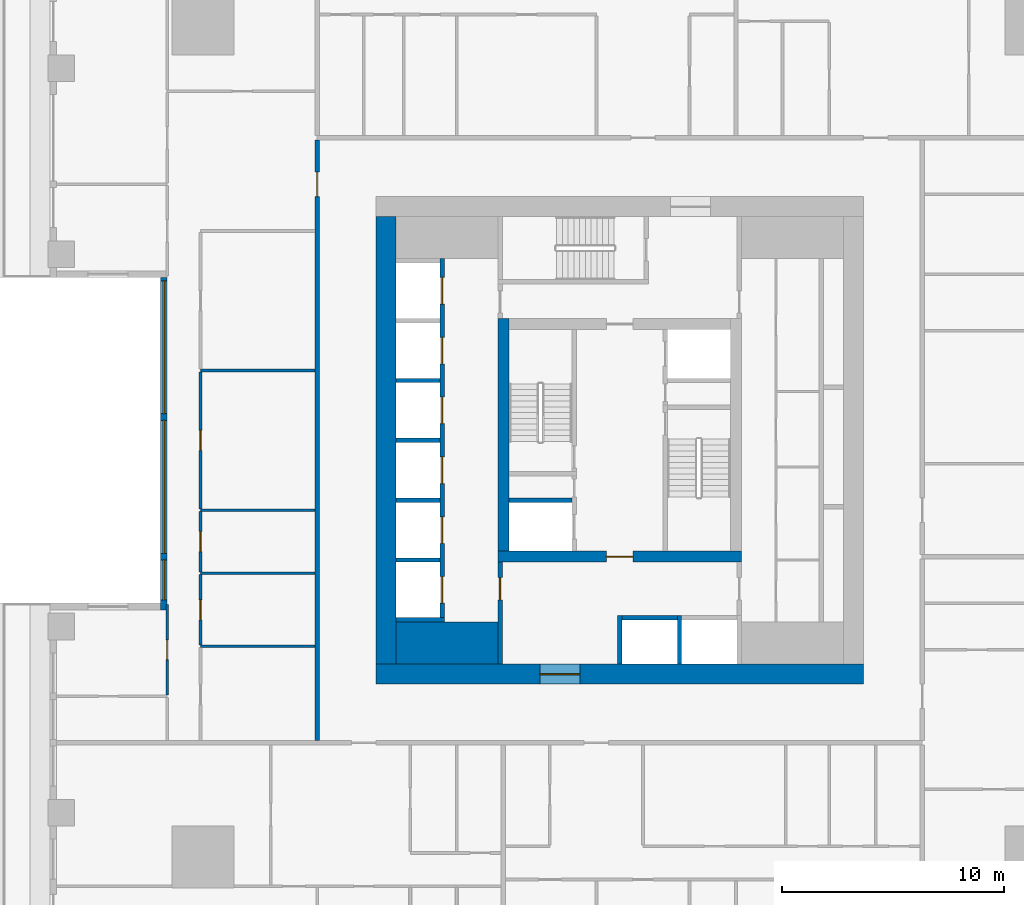
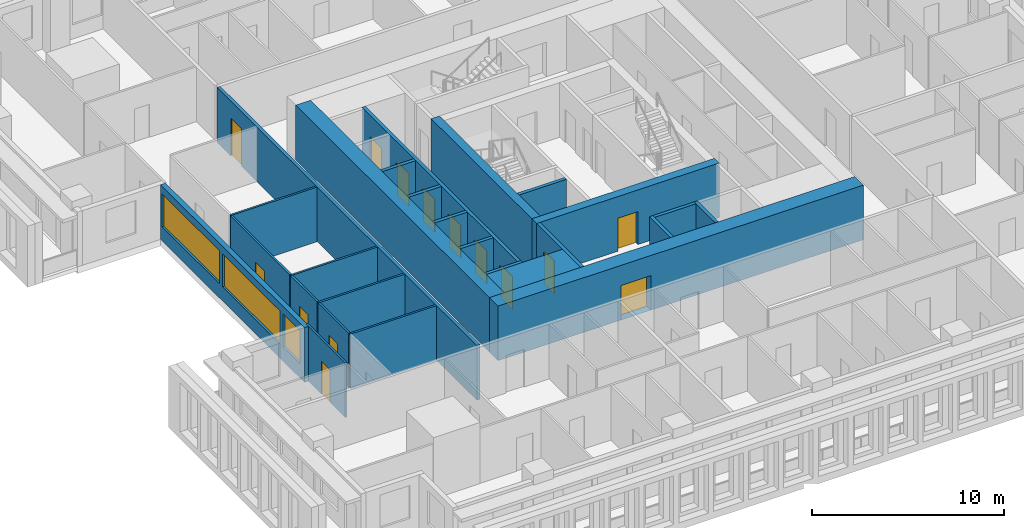
# One storey, part 3 of 15: 26 walls, 14 doors, 3 windows, 17 openings.
"""IFC4 building model written with IfcOpenShell, lengths in metres."""

from ifc_helpers import new_model, si_unit, direction, frame, frame_2d, origin, place, context, subcontext, project, spatial, rectangle, extrude, material, layer, layer_set, type_object, element, fill, save


model = new_model("IFC4")

# Units and contexts
model_context = context("Model", 3, precision=1e-05, world=origin(), true_north=direction((0.0, 1.0)))
body_context = subcontext(model_context, "Body", "Model", "MODEL_VIEW")
ifc_project = project(units=[si_unit("LENGTHUNIT", "METRE"), si_unit("AREAUNIT", "SQUARE_METRE"), si_unit("VOLUMEUNIT", "CUBIC_METRE"), si_unit("PLANEANGLEUNIT", "RADIAN"), si_unit("MASSUNIT", "GRAM", prefix="KILO")], contexts=[model_context])

# Site, building, storey
site_placement = place(None, origin())
site = spatial("IfcSite", under=ifc_project, at=site_placement, CompositionType="ELEMENT")
building_placement = place(site_placement, origin())
building = spatial("IfcBuilding", under=site, at=building_placement, Name="Khepri Terraces", CompositionType="ELEMENT")
storey_placement = place(building_placement, frame((0.0, 0.0, 98.699951171875)))
storey = spatial("IfcBuildingStorey", under=building, at=storey_placement, Name="L23", CompositionType="ELEMENT", Elevation=98.699951171875)

# Walls
ifc_material_1 = material(Name="Concrete C70/85", Category="concrete")
ifc_layer_1 = layer(ifc_material_1, 1.89990234375, Name="Concrete C70/85", Category="concrete")
ifc_layer_set_1 = layer_set([ifc_layer_1], Name="Concrete C70/85")
wall_type_1 = type_object("IfcWallType", Name="Core wall 1900 C70/85", PredefinedType="SHEAR", material=ifc_layer_set_1)
wall_1_placement = place(storey_placement, frame((-10.10009765625, -9.14990234375, 0.0), z_axis=(0.0, 0.0, 1.0), x_axis=(1.0, 0.0, 0.0)))
element("IfcWall", 1, at=wall_1_placement, inside=storey, type_object=wall_type_1, Name="Core wall PR01 L23", PredefinedType="SHEAR", context=body_context, shape_type="SweptSolid", body=[
    extrude(rectangle(XDim=4.60009765625, YDim=1.89990234375, at=frame_2d((2.300048828125, 0.0))), origin(), (0.0, 0.0, 1.0), 3.47998046875),
])
ifc_layer_2 = layer(ifc_material_1, 0.199951171875, Name="Concrete C70/85", Category="concrete")
ifc_layer_set_2 = layer_set([ifc_layer_2], Name="Concrete C70/85")
wall_type_2 = type_object("IfcWallType", Name="Core wall 200 C70/85", PredefinedType="SHEAR", material=ifc_layer_set_2)
for number, where, z_axis, x_axis, name in (
    (2, (0.0, -10.10009765625, 0.0), (0.0, 0.0, 1.0), (0.0, 1.0, 0.0), "Core wall SH01 L23"),
    (3, (2.699951171875, -10.10009765625, 0.0), (0.0, 0.0, 1.0), (0.0, 1.0, 0.0), "Core wall SH02 L23"),
    (4, (-10.10009765625, -8.10009765625, 0.0), (0.0, 0.0, 1.0), (1.0, 0.0, 0.0), "Core wall SH04 L23"),
):
    element("IfcWall", number, at=place(storey_placement, frame(where, z_axis=z_axis, x_axis=x_axis)), inside=storey, type_object=wall_type_2, Name=name, PredefinedType="SHEAR", context=body_context, shape_type="SweptSolid", body=[
        extrude(rectangle(XDim=2.2001953125, YDim=0.199951171875, at=frame_2d((1.10009765625, 0.0))), origin(), (0.0, 0.0, 1.0), 3.47998046875),
    ])
wall_2_placement = place(storey_placement, frame((0.10009765625, -8.0, 0.0), z_axis=(0.0, 0.0, 1.0), x_axis=(1.0, 0.0, 0.0)))
element("IfcWall", 5, at=wall_2_placement, inside=storey, type_object=wall_type_2, Name="Core wall SH06 L23", PredefinedType="SHEAR", context=body_context, shape_type="SweptSolid", body=[
    extrude(rectangle(XDim=2.5, YDim=0.199951171875, at=frame_2d((1.25, 0.0))), origin(), (0.0, 0.0, 1.0), 3.47998046875),
])

# Wall, openings, doors
wall_3_placement = place(storey_placement, frame((-8.0, -8.0, 0.0), z_axis=(0.0, 0.0, 1.0), x_axis=(0.0, 1.0, 0.0)))
wall_3 = element("IfcWall", 6, at=wall_3_placement, inside=storey, type_object=wall_type_2, Name="Core wall SH08 L23", PredefinedType="SHEAR", context=body_context, shape_type="SweptSolid", body=[
    extrude(rectangle(XDim=16.199951171875, YDim=0.199951171875, at=frame_2d((8.10009765625, 0.0))), origin(), (0.0, 0.0, 1.0), 3.47998046875),
])
opening_1_placement = place(wall_3_placement, frame((0.64990234375, 0.0, 0.0)))
opening_1 = element("IfcOpeningElement", 7, at=opening_1_placement, cuts=wall_3, Name="Opening L23-C01", PredefinedType="OPENING", context=body_context, shape_type="SweptSolid", body=[
    extrude(rectangle(XDim=1.199951171875, YDim=2.10009765625, at=frame_2d((0.60009765625, 1.050048828125))), frame((0.0, 0.10986328125, 0.0), z_axis=(0.0, -1.0, 0.0), x_axis=(1.0, 0.0, 0.0)), (0.0, 0.0, 1.0), 0.219970703125),
])
opening_2_placement = place(wall_3_placement, frame((3.35009765625, 0.0, 0.0)))
opening_2 = element("IfcOpeningElement", 8, at=opening_2_placement, cuts=wall_3, Name="Opening L23-C02", PredefinedType="OPENING", context=body_context, shape_type="SweptSolid", body=[
    extrude(rectangle(XDim=1.199951171875, YDim=2.10009765625, at=frame_2d((0.60009765625, 1.050048828125))), frame((0.0, 0.10986328125, 0.0), z_axis=(0.0, -1.0, 0.0), x_axis=(1.0, 0.0, 0.0)), (0.0, 0.0, 1.0), 0.219970703125),
])
opening_3_placement = place(wall_3_placement, frame((6.050048828125, 0.0, 0.0)))
opening_3 = element("IfcOpeningElement", 9, at=opening_3_placement, cuts=wall_3, Name="Opening L23-C03", PredefinedType="OPENING", context=body_context, shape_type="SweptSolid", body=[
    extrude(rectangle(XDim=1.199951171875, YDim=2.10009765625, at=frame_2d((0.60009765625, 1.050048828125))), frame((0.0, 0.10986328125, 0.0), z_axis=(0.0, -1.0, 0.0), x_axis=(1.0, 0.0, 0.0)), (0.0, 0.0, 1.0), 0.219970703125),
])
opening_4_placement = place(wall_3_placement, frame((8.75, 0.0, 0.0)))
opening_4 = element("IfcOpeningElement", 10, at=opening_4_placement, cuts=wall_3, Name="Opening L23-C04", PredefinedType="OPENING", context=body_context, shape_type="SweptSolid", body=[
    extrude(rectangle(XDim=1.199951171875, YDim=2.10009765625, at=frame_2d((0.60009765625, 1.050048828125))), frame((0.0, 0.10986328125, 0.0), z_axis=(0.0, -1.0, 0.0), x_axis=(1.0, 0.0, 0.0)), (0.0, 0.0, 1.0), 0.219970703125),
])
opening_5_placement = place(wall_3_placement, frame((11.449951171875, 0.0, 0.0)))
opening_5 = element("IfcOpeningElement", 11, at=opening_5_placement, cuts=wall_3, Name="Opening L23-C05", PredefinedType="OPENING", context=body_context, shape_type="SweptSolid", body=[
    extrude(rectangle(XDim=1.199951171875, YDim=2.10009765625, at=frame_2d((0.60009765625, 1.050048828125))), frame((0.0, 0.10986328125, 0.0), z_axis=(0.0, -1.0, 0.0), x_axis=(1.0, 0.0, 0.0)), (0.0, 0.0, 1.0), 0.219970703125),
])
opening_6_placement = place(wall_3_placement, frame((14.14990234375, 0.0, 0.0)))
opening_6 = element("IfcOpeningElement", 12, at=opening_6_placement, cuts=wall_3, Name="Opening L23-C06", PredefinedType="OPENING", context=body_context, shape_type="SweptSolid", body=[
    extrude(rectangle(XDim=1.199951171875, YDim=2.10009765625, at=frame_2d((0.60009765625, 1.050048828125))), frame((0.0, 0.10986328125, 0.0), z_axis=(0.0, -1.0, 0.0), x_axis=(1.0, 0.0, 0.0)), (0.0, 0.0, 1.0), 0.219970703125),
])
ifc_material_2 = material(Name="Stainless steel 304", Category="steel")
door_type_1 = type_object("IfcDoorType", Name="DR-CORE-LANDING-1200", OperationType="NOTDEFINED", PredefinedType="DOOR", material=ifc_material_2)
door_1_placement = place(opening_1_placement, origin())
door_1 = element("IfcDoor", 13, at=door_1_placement, inside=storey, type_object=door_type_1, Name="Lift landing door L23-C01", OperationType="SLIDING_TO_LEFT", OverallHeight=2.10009765625, OverallWidth=1.199951171875, PredefinedType="DOOR", context=body_context, shape_type="SweptSolid", body=[
    extrude(rectangle(XDim=1.199951171875, YDim=2.10009765625, at=frame_2d((0.60009765625, 1.050048828125))), frame((0.0, 0.02490234375, 0.0), z_axis=(0.0, -1.0, 0.0), x_axis=(1.0, 0.0, 0.0)), (0.0, 0.0, 1.0), 0.050048828125),
])
fill(opening_1, door_1)
door_2_placement = place(opening_2_placement, origin())
door_2 = element("IfcDoor", 14, at=door_2_placement, inside=storey, type_object=door_type_1, Name="Lift landing door L23-C02", OperationType="SLIDING_TO_LEFT", OverallHeight=2.10009765625, OverallWidth=1.199951171875, PredefinedType="DOOR", context=body_context, shape_type="SweptSolid", body=[
    extrude(rectangle(XDim=1.199951171875, YDim=2.10009765625, at=frame_2d((0.60009765625, 1.050048828125))), frame((0.0, 0.02490234375, 0.0), z_axis=(0.0, -1.0, 0.0), x_axis=(1.0, 0.0, 0.0)), (0.0, 0.0, 1.0), 0.050048828125),
])
fill(opening_2, door_2)
door_3_placement = place(opening_3_placement, origin())
door_3 = element("IfcDoor", 15, at=door_3_placement, inside=storey, type_object=door_type_1, Name="Lift landing door L23-C03", OperationType="SLIDING_TO_LEFT", OverallHeight=2.10009765625, OverallWidth=1.199951171875, PredefinedType="DOOR", context=body_context, shape_type="SweptSolid", body=[
    extrude(rectangle(XDim=1.199951171875, YDim=2.10009765625, at=frame_2d((0.60009765625, 1.050048828125))), frame((0.0, 0.02490234375, 0.0), z_axis=(0.0, -1.0, 0.0), x_axis=(1.0, 0.0, 0.0)), (0.0, 0.0, 1.0), 0.050048828125),
])
fill(opening_3, door_3)
door_4_placement = place(opening_4_placement, origin())
door_4 = element("IfcDoor", 16, at=door_4_placement, inside=storey, type_object=door_type_1, Name="Lift landing door L23-C04", OperationType="SLIDING_TO_LEFT", OverallHeight=2.10009765625, OverallWidth=1.199951171875, PredefinedType="DOOR", context=body_context, shape_type="SweptSolid", body=[
    extrude(rectangle(XDim=1.199951171875, YDim=2.10009765625, at=frame_2d((0.60009765625, 1.050048828125))), frame((0.0, 0.02490234375, 0.0), z_axis=(0.0, -1.0, 0.0), x_axis=(1.0, 0.0, 0.0)), (0.0, 0.0, 1.0), 0.050048828125),
])
fill(opening_4, door_4)
door_5_placement = place(opening_5_placement, origin())
door_5 = element("IfcDoor", 17, at=door_5_placement, inside=storey, type_object=door_type_1, Name="Lift landing door L23-C05", OperationType="SLIDING_TO_LEFT", OverallHeight=2.10009765625, OverallWidth=1.199951171875, PredefinedType="DOOR", context=body_context, shape_type="SweptSolid", body=[
    extrude(rectangle(XDim=1.199951171875, YDim=2.10009765625, at=frame_2d((0.60009765625, 1.050048828125))), frame((0.0, 0.02490234375, 0.0), z_axis=(0.0, -1.0, 0.0), x_axis=(1.0, 0.0, 0.0)), (0.0, 0.0, 1.0), 0.050048828125),
])
fill(opening_5, door_5)
door_6_placement = place(opening_6_placement, origin())
door_6 = element("IfcDoor", 18, at=door_6_placement, inside=storey, type_object=door_type_1, Name="Lift landing door L23-C06", OperationType="SLIDING_TO_LEFT", OverallHeight=2.10009765625, OverallWidth=1.199951171875, PredefinedType="DOOR", context=body_context, shape_type="SweptSolid", body=[
    extrude(rectangle(XDim=1.199951171875, YDim=2.10009765625, at=frame_2d((0.60009765625, 1.050048828125))), frame((0.0, 0.02490234375, 0.0), z_axis=(0.0, -1.0, 0.0), x_axis=(1.0, 0.0, 0.0)), (0.0, 0.0, 1.0), 0.050048828125),
])
fill(opening_6, door_6)

# Walls
for number, where, z_axis, x_axis, name in (
    (19, (-10.10009765625, -5.39990234375, 0.0), (0.0, 0.0, 1.0), (1.0, 0.0, 0.0), "Core wall SH09 L23"),
    (20, (-10.10009765625, -2.699951171875, 0.0), (0.0, 0.0, 1.0), (1.0, 0.0, 0.0), "Core wall SH12 L23"),
):
    element("IfcWall", number, at=place(storey_placement, frame(where, z_axis=z_axis, x_axis=x_axis)), inside=storey, type_object=wall_type_2, Name=name, PredefinedType="SHEAR", context=body_context, shape_type="SweptSolid", body=[
        extrude(rectangle(XDim=2.0, YDim=0.199951171875, at=frame_2d((1.0, 0.0))), origin(), (0.0, 0.0, 1.0), 3.47998046875),
    ])
wall_4_placement = place(storey_placement, frame((-5.0, -2.699951171875, 0.0), z_axis=(0.0, 0.0, 1.0), x_axis=(1.0, 0.0, 0.0)))
element("IfcWall", 21, at=wall_4_placement, inside=storey, type_object=wall_type_2, Name="Core wall SH13 L23", PredefinedType="SHEAR", context=body_context, shape_type="SweptSolid", body=[
    extrude(rectangle(XDim=2.85009765625, YDim=0.199951171875, at=frame_2d((1.425048828125, 0.0))), origin(), (0.0, 0.0, 1.0), 3.47998046875),
])
for number, where, z_axis, x_axis, name in (
    (22, (-10.10009765625, 0.0, 0.0), (0.0, 0.0, 1.0), (1.0, 0.0, 0.0), "Core wall SH14 L23"),
    (23, (-10.10009765625, 2.699951171875, 0.0), (0.0, 0.0, 1.0), (1.0, 0.0, 0.0), "Core wall SH17 L23"),
):
    element("IfcWall", number, at=place(storey_placement, frame(where, z_axis=z_axis, x_axis=x_axis)), inside=storey, type_object=wall_type_2, Name=name, PredefinedType="SHEAR", context=body_context, shape_type="SweptSolid", body=[
        extrude(rectangle(XDim=2.0, YDim=0.199951171875, at=frame_2d((1.0, 0.0))), origin(), (0.0, 0.0, 1.0), 3.47998046875),
    ])

# Wall, opening, door
ifc_layer_3 = layer(ifc_material_1, 0.5, Name="Concrete C70/85", Category="concrete")
ifc_layer_set_3 = layer_set([ifc_layer_3], Name="Concrete C70/85")
wall_type_3 = type_object("IfcWallType", Name="Core wall 500 C70/85", PredefinedType="SHEAR", material=ifc_layer_set_3)
wall_5_placement = place(storey_placement, frame((-5.5, -5.25, 0.0), z_axis=(0.0, 0.0, 1.0), x_axis=(1.0, 0.0, 0.0)))
wall_5 = element("IfcWall", 24, at=wall_5_placement, inside=storey, type_object=wall_type_3, Name="Core wall BX01 L23", PredefinedType="SHEAR", context=body_context, shape_type="SweptSolid", body=[
    extrude(rectangle(XDim=11.0, YDim=0.5, at=frame_2d((5.5, 0.0))), origin(), (0.0, 0.0, 1.0), 3.47998046875),
])
opening_7_placement = place(wall_5_placement, frame((4.89990234375, 0.0, 0.0)))
opening_7 = element("IfcOpeningElement", 25, at=opening_7_placement, cuts=wall_5, Name="Opening L23-C14", PredefinedType="OPENING", context=body_context, shape_type="SweptSolid", body=[
    extrude(rectangle(XDim=1.199951171875, YDim=2.10009765625, at=frame_2d((0.60009765625, 1.050048828125))), frame((0.0, 0.260009765625, 0.0), z_axis=(0.0, -1.0, 0.0), x_axis=(1.0, 0.0, 0.0)), (0.0, 0.0, 1.0), 0.52001953125),
])
ifc_material_3 = material(Name="Painted steel", Category="steel")
door_type_2 = type_object("IfcDoorType", Name="DR-CORE-FF-LOBBY-1200", OperationType="NOTDEFINED", PredefinedType="DOOR", material=ifc_material_3)
door_7_placement = place(opening_7_placement, origin())
door_7 = element("IfcDoor", 26, at=door_7_placement, inside=storey, type_object=door_type_2, Name="Firefighting lobby door L23-C14", OperationType="SINGLE_SWING_RIGHT", OverallHeight=2.10009765625, OverallWidth=1.199951171875, PredefinedType="DOOR", context=body_context, shape_type="SweptSolid", body=[
    extrude(rectangle(XDim=1.199951171875, YDim=2.10009765625, at=frame_2d((0.60009765625, 1.050048828125))), frame((0.0, 0.02490234375, 0.0), z_axis=(0.0, -1.0, 0.0), x_axis=(1.0, 0.0, 0.0)), (0.0, 0.0, 1.0), 0.050048828125),
])
fill(opening_7, door_7)

# Wall
wall_6_placement = place(storey_placement, frame((-5.25, -5.0, 0.0), z_axis=(0.0, 0.0, 1.0), x_axis=(0.0, 1.0, 0.0)))
element("IfcWall", 27, at=wall_6_placement, inside=storey, type_object=wall_type_3, Name="Core wall BX02 L23", PredefinedType="SHEAR", context=body_context, shape_type="SweptSolid", body=[
    extrude(rectangle(XDim=10.5, YDim=0.5, at=frame_2d((5.25, 0.0))), origin(), (0.0, 0.0, 1.0), 3.47998046875),
])

# Wall, opening, door
ifc_layer_4 = layer(ifc_material_1, 0.89990234375, Name="Concrete C70/85", Category="concrete")
ifc_layer_set_4 = layer_set([ifc_layer_4], Name="Concrete C70/85")
wall_type_4 = type_object("IfcWallType", Name="Core wall 900 C70/85", PredefinedType="SHEAR", material=ifc_layer_set_4)
wall_7_placement = place(storey_placement, frame((-11.0, -10.550048828125, 0.0), z_axis=(0.0, 0.0, 1.0), x_axis=(1.0, 0.0, 0.0)))
wall_7 = element("IfcWall", 28, at=wall_7_placement, inside=storey, type_object=wall_type_4, Name="Core wall OW-S L23", PredefinedType="SHEAR", context=body_context, shape_type="SweptSolid", body=[
    extrude(rectangle(XDim=22.0, YDim=0.89990234375, at=frame_2d((11.0, 0.0))), origin(), (0.0, 0.0, 1.0), 3.47998046875),
])
opening_8_placement = place(wall_7_placement, frame((7.39990234375, 0.0, 0.0)))
opening_8 = element("IfcOpeningElement", 29, at=opening_8_placement, cuts=wall_7, Name="Opening L23-C21", PredefinedType="OPENING", context=body_context, shape_type="SweptSolid", body=[
    extrude(rectangle(XDim=1.800048828125, YDim=2.199951171875, at=frame_2d((0.89990234375, 1.10009765625))), frame((0.0, 0.4599609375, 0.0), z_axis=(0.0, -1.0, 0.0), x_axis=(1.0, 0.0, 0.0)), (0.0, 0.0, 1.0), 0.919921875),
])
door_type_3 = type_object("IfcDoorType", Name="DR-CORE-ENTRANCE-1800", OperationType="NOTDEFINED", PredefinedType="DOOR", material=ifc_material_3)
door_8_placement = place(opening_8_placement, frame((1.800048828125, 0.0, 0.0), z_axis=(0.0, 0.0, 1.0), x_axis=(-1.0, 0.0, 0.0)))
door_8 = element("IfcDoor", 30, at=door_8_placement, inside=storey, type_object=door_type_3, Name="Core entrance door pair L23-C21", OperationType="DOUBLE_DOOR_SINGLE_SWING", OverallHeight=2.199951171875, OverallWidth=1.800048828125, PredefinedType="DOOR", context=body_context, shape_type="SweptSolid", body=[
    extrude(rectangle(XDim=1.800048828125, YDim=2.199951171875, at=frame_2d((0.89990234375, 1.10009765625))), frame((0.0, 0.02490234375, 0.0), z_axis=(0.0, -1.0, 0.0), x_axis=(1.0, 0.0, 0.0)), (0.0, 0.0, 1.0), 0.050048828125),
])
fill(opening_8, door_8)

# Wall
wall_8_placement = place(storey_placement, frame((-10.550048828125, -10.10009765625, 0.0), z_axis=(0.0, 0.0, 1.0), x_axis=(0.0, 1.0, 0.0)))
element("IfcWall", 31, at=wall_8_placement, inside=storey, type_object=wall_type_4, Name="Core wall OW-W L23", PredefinedType="SHEAR", context=body_context, shape_type="SweptSolid", body=[
    extrude(rectangle(XDim=20.2001953125, YDim=0.89990234375, at=frame_2d((10.10009765625, 0.0))), origin(), (0.0, 0.0, 1.0), 3.47998046875),
])

# Wall, opening, door
ifc_material_4 = material(Name="Fire-rated gypsum board partition")
ifc_layer_5 = layer(ifc_material_4, 0.199951171875, Name="Fire-rated gypsum board partition")
ifc_layer_set_5 = layer_set([ifc_layer_5], Name="Fire-rated gypsum board partition")
wall_type_5 = type_object("IfcWallType", Name="WL-CORE-PART-200", PredefinedType="PARTITIONING", material=ifc_layer_set_5)
wall_9_placement = place(storey_placement, frame((-5.39990234375, -10.10009765625, 0.0), z_axis=(0.0, 0.0, 1.0), x_axis=(0.0, 1.0, 0.0)))
wall_9 = element("IfcWall", 32, at=wall_9_placement, inside=storey, type_object=wall_type_5, Name="Core partition PT01 L23", PredefinedType="PARTITIONING", context=body_context, shape_type="SweptSolid", body=[
    extrude(rectangle(XDim=4.60009765625, YDim=0.199951171875, at=frame_2d((2.300048828125, 0.0))), origin(), (0.0, 0.0, 1.0), 3.47998046875),
])
opening_9_placement = place(wall_9_placement, frame((2.89990234375, 0.0, 0.0)))
opening_9 = element("IfcOpeningElement", 33, at=opening_9_placement, cuts=wall_9, Name="Opening L23-C18", PredefinedType="OPENING", context=body_context, shape_type="SweptSolid", body=[
    extrude(rectangle(XDim=1.0, YDim=2.10009765625, at=frame_2d((0.5, 1.050048828125))), frame((0.0, 0.10986328125, 0.0), z_axis=(0.0, -1.0, 0.0), x_axis=(1.0, 0.0, 0.0)), (0.0, 0.0, 1.0), 0.219970703125),
])
door_type_4 = type_object("IfcDoorType", Name="DR-CORE-LOBBY-1000", OperationType="NOTDEFINED", PredefinedType="DOOR", material=ifc_material_3)
door_9_placement = place(opening_9_placement, frame((1.0, 0.0, 0.0), z_axis=(0.0, 0.0, 1.0), x_axis=(-1.0, 0.0, 0.0)))
door_9 = element("IfcDoor", 34, at=door_9_placement, inside=storey, type_object=door_type_4, Name="Lobby door L23-C18", OperationType="SINGLE_SWING_LEFT", OverallHeight=2.10009765625, OverallWidth=1.0, PredefinedType="DOOR", context=body_context, shape_type="SweptSolid", body=[
    extrude(rectangle(XDim=1.0, YDim=2.10009765625, at=frame_2d((0.5, 1.050048828125))), frame((0.0, 0.02490234375, 0.0), z_axis=(0.0, -1.0, 0.0), x_axis=(1.0, 0.0, 0.0)), (0.0, 0.0, 1.0), 0.050048828125),
])
fill(opening_9, door_9)

ifc_material_5 = material(Name="Fire-rated gypsum plasterboard partition, mineral wool")
ifc_layer_6 = layer(ifc_material_5, 0.199951171875, Name="Fire-rated gypsum plasterboard partition, mineral wool")
ifc_layer_set_6 = layer_set([ifc_layer_6], Name="Fire-rated gypsum plasterboard partition, mineral wool")
wall_type_6 = type_object("IfcWallType", Name="WL-CORR-200", PredefinedType="PARTITIONING", material=ifc_layer_set_6)
wall_10_placement = place(storey_placement, frame((-13.64990234375, -13.550048828125, 0.0), z_axis=(0.0, 0.0, 1.0), x_axis=(0.0, 1.0, 0.0)))
wall_10 = element("IfcWall", 35, at=wall_10_placement, inside=storey, type_object=wall_type_6, Name="Partition P-034 L23", PredefinedType="PARTITIONING", context=body_context, shape_type="SweptSolid", body=[
    extrude(rectangle(XDim=27.10009765625, YDim=0.199951171875, at=frame_2d((13.550048828125, 0.0))), origin(), (0.0, 0.0, 1.0), 3.47998046875),
])
opening_10_placement = place(wall_10_placement, frame((24.550048828125, 0.0, 0.0)))
opening_10 = element("IfcOpeningElement", 36, at=opening_10_placement, cuts=wall_10, Name="Opening D1", PredefinedType="OPENING", context=body_context, shape_type="SweptSolid", body=[
    extrude(rectangle(XDim=1.10009765625, YDim=2.39990234375, at=frame_2d((0.550048828125, 1.199951171875))), frame((0.0, 0.10986328125, 0.0), z_axis=(0.0, -1.0, 0.0), x_axis=(1.0, 0.0, 0.0)), (0.0, 0.0, 1.0), 0.219970703125),
])
ifc_material_6 = material(Name="Solid-core timber door leaf, flat entrance door", Category="wood")
door_type_5 = type_object("IfcDoorType", Name="DR-ENT-1100", OperationType="NOTDEFINED", PredefinedType="DOOR", material=ifc_material_6)
door_10_placement = place(opening_10_placement, origin())
door_10 = element("IfcDoor", 37, at=door_10_placement, inside=storey, type_object=door_type_5, Name="Flat D1 entrance door", OperationType="SINGLE_SWING_RIGHT", OverallHeight=2.39990234375, OverallWidth=1.10009765625, PredefinedType="DOOR", context=body_context, shape_type="SweptSolid", body=[
    extrude(rectangle(XDim=1.10009765625, YDim=2.39990234375, at=frame_2d((0.550048828125, 1.199951171875))), frame((0.0, 0.02490234375, 0.0), z_axis=(0.0, -1.0, 0.0), x_axis=(1.0, 0.0, 0.0)), (0.0, 0.0, 1.0), 0.050048828125),
])
fill(opening_10, door_10)

# Wall, openings, windows
ifc_material_7 = material(Name="Precast concrete C50/60 warm stone", Category="masonry")
ifc_layer_7 = layer(ifc_material_7, 0.300048828125, Name="Precast concrete C50/60 warm stone", Category="masonry")
ifc_layer_set_7 = layer_set([ifc_layer_7], Name="Precast concrete C50/60 warm stone")
wall_type_7 = type_object("IfcWallType", Name="WL-EXT-PRECAST-300", PredefinedType="STANDARD", material=ifc_layer_set_7)
wall_11_placement = place(storey_placement, frame((-20.570068359375, 7.35009765625, 0.0), z_axis=(0.0, 0.0, 1.0), x_axis=(0.0, -1.0, 0.0)))
wall_11 = element("IfcWall", 38, at=wall_11_placement, inside=storey, type_object=wall_type_7, Name="External wall L23 W", PredefinedType="STANDARD", context=body_context, shape_type="SweptSolid", body=[
    extrude(rectangle(XDim=15.0, YDim=0.300048828125, at=frame_2d((7.5, 0.0))), origin(), (0.0, 0.0, 1.0), 3.47998046875),
])
opening_11_placement = place(wall_11_placement, frame((0.14990234375, 0.0, 0.89990234375)))
opening_11 = element("IfcOpeningElement", 39, at=opening_11_placement, cuts=wall_11, Name="Opening W3", PredefinedType="OPENING", context=body_context, shape_type="SweptSolid", body=[
    extrude(rectangle(XDim=6.0, YDim=2.10009765625, at=frame_2d((3.0, 1.050048828125))), frame((0.0, 0.16015625, 0.0), z_axis=(0.0, -1.0, 0.0), x_axis=(1.0, 0.0, 0.0)), (0.0, 0.0, 1.0), 0.320068359375),
])
opening_12_placement = place(wall_11_placement, frame((6.449951171875, 0.0, 0.89990234375)))
opening_12 = element("IfcOpeningElement", 40, at=opening_12_placement, cuts=wall_11, Name="Opening W3", PredefinedType="OPENING", context=body_context, shape_type="SweptSolid", body=[
    extrude(rectangle(XDim=6.0, YDim=2.10009765625, at=frame_2d((3.0, 1.050048828125))), frame((0.0, 0.16015625, 0.0), z_axis=(0.0, -1.0, 0.0), x_axis=(1.0, 0.0, 0.0)), (0.0, 0.0, 1.0), 0.320068359375),
])
opening_13_placement = place(wall_11_placement, frame((12.75, 0.0, 0.89990234375)))
opening_13 = element("IfcOpeningElement", 41, at=opening_13_placement, cuts=wall_11, Name="Opening W1", PredefinedType="OPENING", context=body_context, shape_type="SweptSolid", body=[
    extrude(rectangle(XDim=1.800048828125, YDim=2.10009765625, at=frame_2d((0.89990234375, 1.050048828125))), frame((0.0, 0.16015625, 0.0), z_axis=(0.0, -1.0, 0.0), x_axis=(1.0, 0.0, 0.0)), (0.0, 0.0, 1.0), 0.320068359375),
])
ifc_material_8 = material(Name="Clear glass", Category="glass")
window_type_1 = type_object("IfcWindowType", Name="WIN-RES-1800x2100", PartitioningType="SINGLE_PANEL", PredefinedType="WINDOW", material=ifc_material_8)
window_1_placement = place(opening_13_placement, origin())
window_1 = element("IfcWindow", 42, at=window_1_placement, inside=storey, type_object=window_type_1, Name="Window L23 W", OverallHeight=2.10009765625, OverallWidth=1.800048828125, PartitioningType="SINGLE_PANEL", PredefinedType="WINDOW", context=body_context, shape_type="SweptSolid", body=[
    extrude(rectangle(XDim=1.800048828125, YDim=2.10009765625, at=frame_2d((0.89990234375, 1.050048828125))), frame((0.0, 0.030029296875, 0.0), z_axis=(0.0, -1.0, 0.0), x_axis=(1.0, 0.0, 0.0)), (0.0, 0.0, 1.0), 0.06005859375),
])
fill(opening_13, window_1)
window_type_2 = type_object("IfcWindowType", Name="WIN-RES-6000x2100", PartitioningType="SINGLE_PANEL", PredefinedType="WINDOW", material=ifc_material_8)
window_2_placement = place(opening_11_placement, origin())
window_2 = element("IfcWindow", 43, at=window_2_placement, inside=storey, type_object=window_type_2, Name="Window L23 W", OverallHeight=2.10009765625, OverallWidth=6.0, PartitioningType="SINGLE_PANEL", PredefinedType="WINDOW", context=body_context, shape_type="SweptSolid", body=[
    extrude(rectangle(XDim=6.0, YDim=2.10009765625, at=frame_2d((3.0, 1.050048828125))), frame((0.0, 0.030029296875, 0.0), z_axis=(0.0, -1.0, 0.0), x_axis=(1.0, 0.0, 0.0)), (0.0, 0.0, 1.0), 0.06005859375),
])
fill(opening_11, window_2)
window_3_placement = place(opening_12_placement, origin())
window_3 = element("IfcWindow", 44, at=window_3_placement, inside=storey, type_object=window_type_2, Name="Window L23 W", OverallHeight=2.10009765625, OverallWidth=6.0, PartitioningType="SINGLE_PANEL", PredefinedType="WINDOW", context=body_context, shape_type="SweptSolid", body=[
    extrude(rectangle(XDim=6.0, YDim=2.10009765625, at=frame_2d((3.0, 1.050048828125))), frame((0.0, 0.030029296875, 0.0), z_axis=(0.0, -1.0, 0.0), x_axis=(1.0, 0.0, 0.0)), (0.0, 0.0, 1.0), 0.06005859375),
])
fill(opening_12, window_3)

# Wall, opening, door
ifc_material_9 = material(Name="Gypsum plasterboard partition")
ifc_layer_8 = layer(ifc_material_9, 0.1201171875, Name="Gypsum plasterboard partition")
ifc_layer_set_8 = layer_set([ifc_layer_8], Name="Gypsum plasterboard partition")
wall_type_8 = type_object("IfcWallType", Name="WL-PART-120", PredefinedType="PARTITIONING", material=ifc_layer_set_8)
wall_12_placement = place(storey_placement, frame((-20.419921875, -11.489990234375, 0.0), z_axis=(0.0, 0.0, 1.0), x_axis=(0.0, 1.0, 0.0)))
wall_12 = element("IfcWall", 45, at=wall_12_placement, inside=storey, type_object=wall_type_8, Name="Partition P-037 L23", PredefinedType="PARTITIONING", context=body_context, shape_type="SweptSolid", body=[
    extrude(rectangle(XDim=4.080078125, YDim=0.1201171875, at=frame_2d((2.0400390625, 0.0))), origin(), (0.0, 0.0, 1.0), 3.47998046875),
])
opening_14_placement = place(wall_12_placement, frame((1.590087890625, 0.0, 0.0)))
opening_14 = element("IfcOpeningElement", 46, at=opening_14_placement, cuts=wall_12, Name="Opening D3", PredefinedType="OPENING", context=body_context, shape_type="SweptSolid", body=[
    extrude(rectangle(XDim=0.89990234375, YDim=2.10009765625, at=frame_2d((0.449951171875, 1.050048828125))), frame((0.0, 0.070068359375, 0.0), z_axis=(0.0, -1.0, 0.0), x_axis=(1.0, 0.0, 0.0)), (0.0, 0.0, 1.0), 0.14013671875),
])
ifc_material_10 = material(Name="Timber door leaf", Category="wood")
door_type_6 = type_object("IfcDoorType", Name="DR-INT-900", OperationType="NOTDEFINED", PredefinedType="DOOR", material=ifc_material_10)
door_11_placement = place(opening_14_placement, origin())
door_11 = element("IfcDoor", 47, at=door_11_placement, inside=storey, type_object=door_type_6, Name="Door Bedroom", OperationType="SINGLE_SWING_RIGHT", OverallHeight=2.10009765625, OverallWidth=0.89990234375, PredefinedType="DOOR", context=body_context, shape_type="SweptSolid", body=[
    extrude(rectangle(XDim=0.89990234375, YDim=2.10009765625, at=frame_2d((0.449951171875, 1.050048828125))), frame((0.0, 0.02490234375, 0.0), z_axis=(0.0, -1.0, 0.0), x_axis=(1.0, 0.0, 0.0)), (0.0, 0.0, 1.0), 0.050048828125),
])
fill(opening_14, door_11)

# Wall
wall_13_placement = place(storey_placement, frame((-18.919921875, -9.300048828125, 0.0), z_axis=(0.0, 0.0, 1.0), x_axis=(1.0, 0.0, 0.0)))
element("IfcWall", 48, at=wall_13_placement, inside=storey, type_object=wall_type_8, Name="Partition P-042 L23", PredefinedType="PARTITIONING", context=body_context, shape_type="SweptSolid", body=[
    extrude(rectangle(XDim=5.169921875, YDim=0.1201171875, at=frame_2d((2.5849609375, 0.0))), origin(), (0.0, 0.0, 1.0), 3.47998046875),
])

# Wall, opening, door
wall_14_placement = place(storey_placement, frame((-18.919921875, -9.239990234375, 0.0), z_axis=(0.0, 0.0, 1.0), x_axis=(0.0, 1.0, 0.0)))
wall_14 = element("IfcWall", 49, at=wall_14_placement, inside=storey, type_object=wall_type_8, Name="Partition P-043 L23", PredefinedType="PARTITIONING", context=body_context, shape_type="SweptSolid", body=[
    extrude(rectangle(XDim=3.179931640625, YDim=0.1201171875, at=frame_2d((1.58984375, 0.0))), origin(), (0.0, 0.0, 1.0), 3.47998046875),
])
opening_15_placement = place(wall_14_placement, frame((1.139892578125, 0.0, 0.0)))
opening_15 = element("IfcOpeningElement", 50, at=opening_15_placement, cuts=wall_14, Name="Opening D4", PredefinedType="OPENING", context=body_context, shape_type="SweptSolid", body=[
    extrude(rectangle(XDim=0.89990234375, YDim=2.10009765625, at=frame_2d((0.449951171875, 1.050048828125))), frame((0.0, 0.070068359375, 0.0), z_axis=(0.0, -1.0, 0.0), x_axis=(1.0, 0.0, 0.0)), (0.0, 0.0, 1.0), 0.14013671875),
])
ifc_material_11 = material(Name="Timber door leaf, moisture resistant", Category="wood")
door_type_7 = type_object("IfcDoorType", Name="DR-WET-900", OperationType="NOTDEFINED", PredefinedType="DOOR", material=ifc_material_11)
door_12_placement = place(opening_15_placement, frame((0.89990234375, 0.0, 0.0), z_axis=(0.0, 0.0, 1.0), x_axis=(-1.0, 0.0, 0.0)))
door_12 = element("IfcDoor", 51, at=door_12_placement, inside=storey, type_object=door_type_7, Name="Door Guest Bathroom", OperationType="SINGLE_SWING_RIGHT", OverallHeight=2.10009765625, OverallWidth=0.89990234375, PredefinedType="DOOR", context=body_context, shape_type="SweptSolid", body=[
    extrude(rectangle(XDim=0.89990234375, YDim=2.10009765625, at=frame_2d((0.449951171875, 1.050048828125))), frame((0.0, 0.02490234375, 0.0), z_axis=(0.0, -1.0, 0.0), x_axis=(1.0, 0.0, 0.0)), (0.0, 0.0, 1.0), 0.050048828125),
])
fill(opening_15, door_12)

# Wall
wall_15_placement = place(storey_placement, frame((-18.919921875, -6.0, 0.0), z_axis=(0.0, 0.0, 1.0), x_axis=(1.0, 0.0, 0.0)))
element("IfcWall", 52, at=wall_15_placement, inside=storey, type_object=wall_type_8, Name="Partition P-049 L23", PredefinedType="PARTITIONING", context=body_context, shape_type="SweptSolid", body=[
    extrude(rectangle(XDim=5.169921875, YDim=0.1201171875, at=frame_2d((2.5849609375, 0.0))), origin(), (0.0, 0.0, 1.0), 3.47998046875),
])

# Wall, opening, door
wall_16_placement = place(storey_placement, frame((-18.919921875, -5.93994140625, 0.0), z_axis=(0.0, 0.0, 1.0), x_axis=(0.0, 1.0, 0.0)))
wall_16 = element("IfcWall", 53, at=wall_16_placement, inside=storey, type_object=wall_type_8, Name="Partition P-050 L23", PredefinedType="PARTITIONING", context=body_context, shape_type="SweptSolid", body=[
    extrude(rectangle(XDim=2.72998046875, YDim=0.1201171875, at=frame_2d((1.364990234375, 0.0))), origin(), (0.0, 0.0, 1.0), 3.47998046875),
])
opening_16_placement = place(wall_16_placement, frame((0.9150390625, 0.0, 0.0)))
opening_16 = element("IfcOpeningElement", 54, at=opening_16_placement, cuts=wall_16, Name="Opening D4", PredefinedType="OPENING", context=body_context, shape_type="SweptSolid", body=[
    extrude(rectangle(XDim=0.89990234375, YDim=2.10009765625, at=frame_2d((0.449951171875, 1.050048828125))), frame((0.0, 0.070068359375, 0.0), z_axis=(0.0, -1.0, 0.0), x_axis=(1.0, 0.0, 0.0)), (0.0, 0.0, 1.0), 0.14013671875),
])
door_13_placement = place(opening_16_placement, frame((0.89990234375, 0.0, 0.0), z_axis=(0.0, 0.0, 1.0), x_axis=(-1.0, 0.0, 0.0)))
door_13 = element("IfcDoor", 55, at=door_13_placement, inside=storey, type_object=door_type_7, Name="Door Powder Room", OperationType="SINGLE_SWING_LEFT", OverallHeight=2.10009765625, OverallWidth=0.89990234375, PredefinedType="DOOR", context=body_context, shape_type="SweptSolid", body=[
    extrude(rectangle(XDim=0.89990234375, YDim=2.10009765625, at=frame_2d((0.449951171875, 1.050048828125))), frame((0.0, 0.02490234375, 0.0), z_axis=(0.0, -1.0, 0.0), x_axis=(1.0, 0.0, 0.0)), (0.0, 0.0, 1.0), 0.050048828125),
])
fill(opening_16, door_13)

# Wall
wall_17_placement = place(storey_placement, frame((-18.919921875, -3.14990234375, 0.0), z_axis=(0.0, 0.0, 1.0), x_axis=(1.0, 0.0, 0.0)))
element("IfcWall", 56, at=wall_17_placement, inside=storey, type_object=wall_type_8, Name="Partition P-054 L23", PredefinedType="PARTITIONING", context=body_context, shape_type="SweptSolid", body=[
    extrude(rectangle(XDim=5.169921875, YDim=0.1201171875, at=frame_2d((2.5849609375, 0.0))), origin(), (0.0, 0.0, 1.0), 3.47998046875),
])

# Wall, opening, door
wall_18_placement = place(storey_placement, frame((-18.919921875, -3.090087890625, 0.0), z_axis=(0.0, 0.0, 1.0), x_axis=(0.0, 1.0, 0.0)))
wall_18 = element("IfcWall", 57, at=wall_18_placement, inside=storey, type_object=wall_type_8, Name="Partition P-055 L23", PredefinedType="PARTITIONING", context=body_context, shape_type="SweptSolid", body=[
    extrude(rectangle(XDim=6.18017578125, YDim=0.1201171875, at=frame_2d((3.090087890625, 0.0))), origin(), (0.0, 0.0, 1.0), 3.47998046875),
])
opening_17_placement = place(wall_18_placement, frame((2.639892578125, 0.0, 0.0)))
opening_17 = element("IfcOpeningElement", 58, at=opening_17_placement, cuts=wall_18, Name="Opening D3", PredefinedType="OPENING", context=body_context, shape_type="SweptSolid", body=[
    extrude(rectangle(XDim=0.89990234375, YDim=2.10009765625, at=frame_2d((0.449951171875, 1.050048828125))), frame((0.0, 0.070068359375, 0.0), z_axis=(0.0, -1.0, 0.0), x_axis=(1.0, 0.0, 0.0)), (0.0, 0.0, 1.0), 0.14013671875),
])
door_14_placement = place(opening_17_placement, frame((0.89990234375, 0.0, 0.0), z_axis=(0.0, 0.0, 1.0), x_axis=(-1.0, 0.0, 0.0)))
door_14 = element("IfcDoor", 59, at=door_14_placement, inside=storey, type_object=door_type_6, Name="Door Staff Bedroom", OperationType="SINGLE_SWING_LEFT", OverallHeight=2.10009765625, OverallWidth=0.89990234375, PredefinedType="DOOR", context=body_context, shape_type="SweptSolid", body=[
    extrude(rectangle(XDim=0.89990234375, YDim=2.10009765625, at=frame_2d((0.449951171875, 1.050048828125))), frame((0.0, 0.02490234375, 0.0), z_axis=(0.0, -1.0, 0.0), x_axis=(1.0, 0.0, 0.0)), (0.0, 0.0, 1.0), 0.050048828125),
])
fill(opening_17, door_14)

# Wall
wall_19_placement = place(storey_placement, frame((-18.919921875, 3.14990234375, 0.0), z_axis=(0.0, 0.0, 1.0), x_axis=(1.0, 0.0, 0.0)))
element("IfcWall", 60, at=wall_19_placement, inside=storey, type_object=wall_type_8, Name="Partition P-060 L23", PredefinedType="PARTITIONING", context=body_context, shape_type="SweptSolid", body=[
    extrude(rectangle(XDim=5.169921875, YDim=0.1201171875, at=frame_2d((2.5849609375, 0.0))), origin(), (0.0, 0.0, 1.0), 3.47998046875),
])

save(model, "model.ifc")
